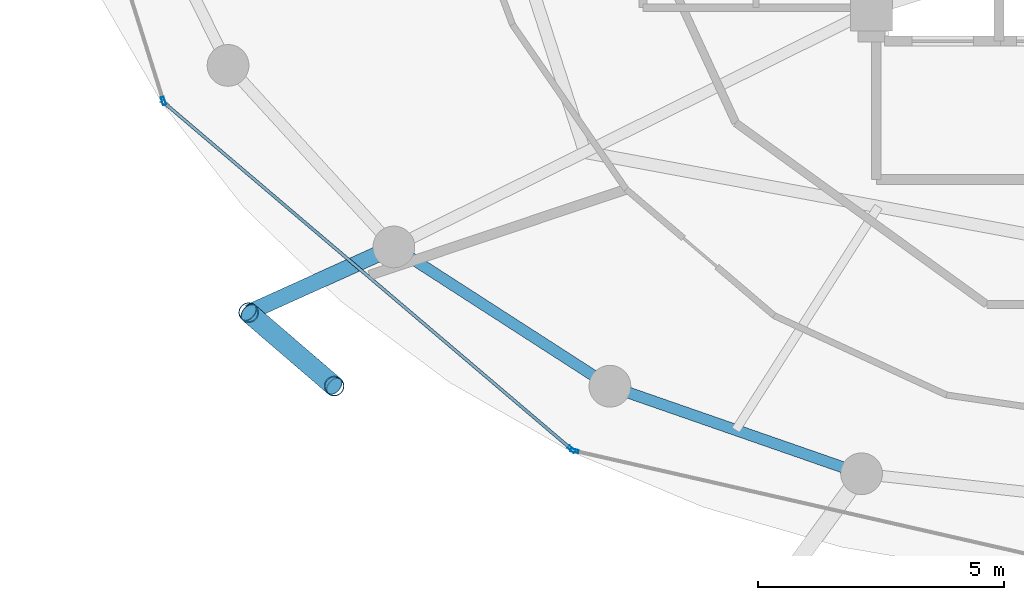
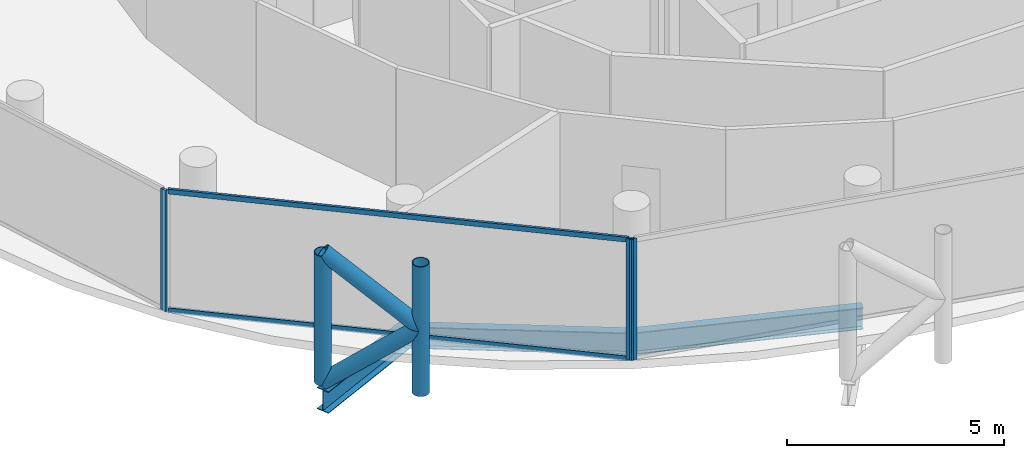
# One storey, part 2 of 27: 9 members, 3 beams, 3 elements without a shape of their own.
"""IFC4 building model written with IfcOpenShell, lengths in metres."""

from ifc_helpers import new_model, si_unit, direction, frame, origin, origin_2d, place, context, subcontext, project, spatial, hollow_rectangle, hollow_circle, i_section, extrude, material, layer, layer_set, material_profile, profile_set, type_object, element, aggregate, save


model = new_model("IFC4")

# Units and contexts
model_context = context("Model", 3, precision=1e-05, world=origin(), true_north=direction((0.0, 1.0)))
body_context = subcontext(model_context, "Body", "Model", "MODEL_VIEW")
ifc_project = project(units=[si_unit("LENGTHUNIT", "METRE"), si_unit("AREAUNIT", "SQUARE_METRE"), si_unit("VOLUMEUNIT", "CUBIC_METRE"), si_unit("PLANEANGLEUNIT", "RADIAN"), si_unit("MASSUNIT", "GRAM", prefix="KILO")], contexts=[model_context])

# Site, building, storey
site_placement = place(None, origin())
site = spatial("IfcSite", under=ifc_project, at=site_placement, CompositionType="ELEMENT")
building_placement = place(site_placement, origin())
building = spatial("IfcBuilding", under=site, at=building_placement, Name="Nuhasar Tower", CompositionType="ELEMENT")
storey_placement = place(building_placement, frame((0.0, 0.0, 233.699951171875)))
storey = spatial("IfcBuildingStorey", under=building, at=storey_placement, Name="L57", CompositionType="ELEMENT", Elevation=233.699951171875)

# Beams
ifc_material_1 = material(Name="Steel S355", Category="steel")
ifc_material_profile_1 = material_profile(ifc_material_1, i_section(OverallWidth=0.22802734375, OverallDepth=0.60791015625, WebThickness=0.01123046875, FlangeThickness=0.017333984375, at=origin_2d()), Name="W24X76")
ifc_profile_set_1 = profile_set([ifc_material_profile_1], Name="Steel S355")
beam_type_1 = type_object("IfcBeamType", Name="BM-RING-W24X76", PredefinedType="SPANDREL", material=ifc_profile_set_1)
beam_1_placement = place(storey_placement, frame((23.97412109375, 14.177978515625, -0.5439453125), z_axis=(0.840502144969, -0.541808217272, 0.0), x_axis=(0.541808217272, 0.840502144969, 0.0)))
element("IfcBeam", 1, at=beam_1_placement, inside=storey, type_object=beam_type_1, Name="L57 Perimeter Ring Spandrel 16", PredefinedType="SPANDREL", context=body_context, shape_type="SweptSolid", body=[
    extrude(i_section(OverallWidth=0.22802734375, OverallDepth=0.60791015625, WebThickness=0.01123046875, FlangeThickness=0.017333984375, at=origin_2d()), origin(), (0.0, 0.0, 1.0), 5.236083984375),
])
beam_2_placement = place(storey_placement, frame((28.375, 11.341064453125, -0.5439453125), z_axis=(0.944476764686, -0.328578211342, 0.0), x_axis=(0.328578211342, 0.944476764686, 0.0)))
element("IfcBeam", 2, at=beam_2_placement, inside=storey, type_object=beam_type_1, Name="L57 Perimeter Ring Spandrel 17", PredefinedType="SPANDREL", context=body_context, shape_type="SweptSolid", body=[
    extrude(i_section(OverallWidth=0.22802734375, OverallDepth=0.60791015625, WebThickness=0.01123046875, FlangeThickness=0.017333984375, at=origin_2d()), origin(), (0.0, 0.0, 1.0), 5.42626953125),
])
ifc_material_profile_2 = material_profile(ifc_material_1, i_section(OverallWidth=0.323974609375, OverallDepth=0.611083984375, WebThickness=0.0126953125, FlangeThickness=0.01904296875, at=origin_2d()), Name="W24X104")
ifc_profile_set_2 = profile_set([ifc_material_profile_2], Name="Steel S355")
beam_type_2 = type_object("IfcBeamType", Name="BM-TIE-W24X104", PredefinedType="BEAM", material=ifc_profile_set_2)
beam_3_placement = place(storey_placement, frame((23.97412109375, 14.177978515625, -0.544921875), z_axis=(-0.911363318082, -0.411602845538, 0.0), x_axis=(0.411602845538, -0.911363318082, 0.0)))
element("IfcBeam", 3, at=beam_3_placement, inside=storey, type_object=beam_type_2, Name="L57 Exoskeleton Node Tie Beam 08", PredefinedType="BEAM", context=body_context, shape_type="SweptSolid", body=[
    extrude(i_section(OverallWidth=0.323974609375, OverallDepth=0.611083984375, WebThickness=0.0126953125, FlangeThickness=0.01904296875, at=origin_2d()), origin(), (0.0, 0.0, 1.0), 3.24560546875),
])

# Curtain wall, member
ifc_material_2 = material(Name="Aluminium 6063-T6", Category="aluminium")
ifc_layer = layer(ifc_material_2, 0.18994140625)
ifc_layer_set = layer_set([ifc_layer], Name="Aluminium 6063-T6")
curtain_wall_type = type_object("IfcCurtainWallType", Name="CW-Z3-RES", PredefinedType="NOTDEFINED", material=ifc_layer_set)
curtain_wall_1_placement = place(storey_placement, origin())
curtain_wall_1 = element("IfcCurtainWall", 4, at=curtain_wall_1_placement, inside=storey, type_object=curtain_wall_type, Name="L57 Unitised Curtain Wall 07", PredefinedType="NOTDEFINED")
ifc_material_profile_3 = material_profile(ifc_material_2, hollow_rectangle(XDim=0.06494140625, YDim=0.169921875, WallThickness=0.0048828125, at=origin_2d()), Name="CWM-4")
ifc_profile_set_3 = profile_set([ifc_material_profile_3], Name="Aluminium 6063-T6")
member_type_1 = type_object("IfcMemberType", Name="CW-MUL-S4", PredefinedType="MULLION", material=ifc_profile_set_3)
member_1_placement = place(storey_placement, frame((19.279296875, 17.15087890625, 0.0), z_axis=(0.0, 0.0, 1.0), x_axis=(0.95380429279, 0.30042864553, 0.0)))
member_1 = element("IfcMember", 5, at=member_1_placement, type_object=member_type_1, Name="CW-Z3 mullion 2", PredefinedType="MULLION", context=body_context, shape_type="SweptSolid", body=[
    extrude(hollow_rectangle(XDim=0.06494140625, YDim=0.169921875, WallThickness=0.0048828125, at=origin_2d()), origin(), (0.0, 0.0, 1.0), 3.41015625),
])
aggregate(curtain_wall_1, [member_1])

curtain_wall_2_placement = place(storey_placement, origin())
curtain_wall_2 = element("IfcCurtainWall", 6, at=curtain_wall_2_placement, inside=storey, type_object=curtain_wall_type, Name="L57 Unitised Curtain Wall 08", PredefinedType="NOTDEFINED")
member_2_placement = place(storey_placement, frame((27.59521484375, 10.05517578125, 0.0), z_axis=(0.0, 0.0, 1.0), x_axis=(0.64789521578, 0.761729472562, 0.0)))
member_2 = element("IfcMember", 7, at=member_2_placement, type_object=member_type_1, Name="CW-Z3 mullion 2", PredefinedType="MULLION", context=body_context, shape_type="SweptSolid", body=[
    extrude(hollow_rectangle(XDim=0.06494140625, YDim=0.169921875, WallThickness=0.0048828125, at=origin_2d()), origin(), (0.0, 0.0, 1.0), 3.41015625),
])

curtain_wall_3_placement = place(storey_placement, origin())
curtain_wall_3 = element("IfcCurtainWall", 8, at=curtain_wall_3_placement, inside=storey, type_object=curtain_wall_type, Name="L57 Unitised Curtain Wall 09", PredefinedType="NOTDEFINED")
member_3_placement = place(storey_placement, frame((27.651611328125, 10.02685546875, 0.0), z_axis=(0.0, 0.0, 1.0), x_axis=(0.222243176313, 0.974991266926, 0.0)))
member_3 = element("IfcMember", 9, at=member_3_placement, type_object=member_type_1, Name="CW-Z3 mullion 1", PredefinedType="MULLION", context=body_context, shape_type="SweptSolid", body=[
    extrude(hollow_rectangle(XDim=0.06494140625, YDim=0.169921875, WallThickness=0.0048828125, at=origin_2d()), origin(), (0.0, 0.0, 1.0), 3.41015625),
])
aggregate(curtain_wall_3, [member_3])

# Member
ifc_material_profile_4 = material_profile(ifc_material_2, hollow_rectangle(XDim=0.06494140625, YDim=0.139892578125, WallThickness=0.00439453125, at=origin_2d()), Name="CWT-4")
ifc_profile_set_4 = profile_set([ifc_material_profile_4], Name="Aluminium 6063-T6")
member_type_2 = type_object("IfcMemberType", Name="CW-TRN-S4", PredefinedType="USERDEFINED", material=ifc_profile_set_4)
member_4_placement = place(storey_placement, frame((19.338623046875, 17.077880859375, 0.032470703125), z_axis=(0.761730809511, -0.647893643928, 0.0), x_axis=(0.647893643928, 0.761730809511, 0.0)))
member_4 = element("IfcMember", 10, at=member_4_placement, type_object=member_type_2, Name="CW-Z3 transom 1.1", ObjectType="TRANSOM", PredefinedType="USERDEFINED", context=body_context, shape_type="SweptSolid", body=[
    extrude(hollow_rectangle(XDim=0.06494140625, YDim=0.139892578125, WallThickness=0.00439453125, at=origin_2d()), origin(), (0.0, 0.0, 1.0), 10.806884765625),
])

member_5_placement = place(storey_placement, frame((19.338623046875, 17.077880859375, 3.37744140625), z_axis=(0.761730809511, -0.647893643928, 0.0), x_axis=(0.647893643928, 0.761730809511, 0.0)))
member_5 = element("IfcMember", 11, at=member_5_placement, type_object=member_type_2, Name="CW-Z3 transom 1.2", ObjectType="TRANSOM", PredefinedType="USERDEFINED", context=body_context, shape_type="SweptSolid", body=[
    extrude(hollow_rectangle(XDim=0.06494140625, YDim=0.139892578125, WallThickness=0.00439453125, at=origin_2d()), origin(), (0.0, 0.0, 1.0), 10.806884765625),
])

aggregate(curtain_wall_2, [member_2, member_4, member_5])

# Members
ifc_material_3 = material(Name="Steel S460", Category="steel")
ifc_material_profile_5 = material_profile(ifc_material_3, hollow_circle(Radius=0.203125, WallThickness=0.01904296875, at=origin_2d()), Name="HSS406.4X19.1")
ifc_profile_set_5 = profile_set([ifc_material_profile_5], Name="Steel S460")
member_type_3 = type_object("IfcMemberType", Name="EXO-BRONZE-406", PredefinedType="BRACE", material=ifc_profile_set_5)
for number, where, z_axis, x_axis, name in (
    (12, (21.01611328125, 12.842041015625, 0.0), (0.0, 0.0, 1.0), (1.0, 0.0, 0.0), "L57 Exoskeleton Chord Column EC-08A"),
    (13, (22.760009765625, 11.343017578125, 0.0), (0.0, 0.0, 1.0), (1.0, 0.0, 0.0), "L57 Exoskeleton Chord Column EC-08B"),
):
    element("IfcMember", number, at=place(storey_placement, frame(where, z_axis=z_axis, x_axis=x_axis)), inside=storey, type_object=member_type_3, Name=name, PredefinedType="BRACE", context=body_context, shape_type="SweptSolid", body=[
        extrude(hollow_circle(Radius=0.203125, WallThickness=0.01904296875, at=origin_2d()), origin(), (0.0, 0.0, 1.0), 3.650146484375),
    ])
for number, where, z_axis, x_axis, name in (
    (14, (21.01611328125, 12.842041015625, 0.0), (0.594018535389, -0.510608120858, 0.621627964725), (0.65185738425, 0.758341579104, 0.0), "L57 Bronze Diagrid Brace W1-08"),
    (15, (22.760009765625, 11.343017578125, 1.824951171875), (-0.593987827832, 0.51058172517, 0.621678986543), (-0.65185738425, -0.758341579104, 0.0), "L57 Bronze Diagrid Brace W2-08"),
):
    element("IfcMember", number, at=place(storey_placement, frame(where, z_axis=z_axis, x_axis=x_axis)), inside=storey, type_object=member_type_3, Name=name, PredefinedType="BRACE", context=body_context, shape_type="SweptSolid", body=[
        extrude(hollow_circle(Radius=0.203125, WallThickness=0.01904296875, at=origin_2d()), origin(), (0.0, 0.0, 1.0), 2.935791015625),
    ])

save(model, "model.ifc")
